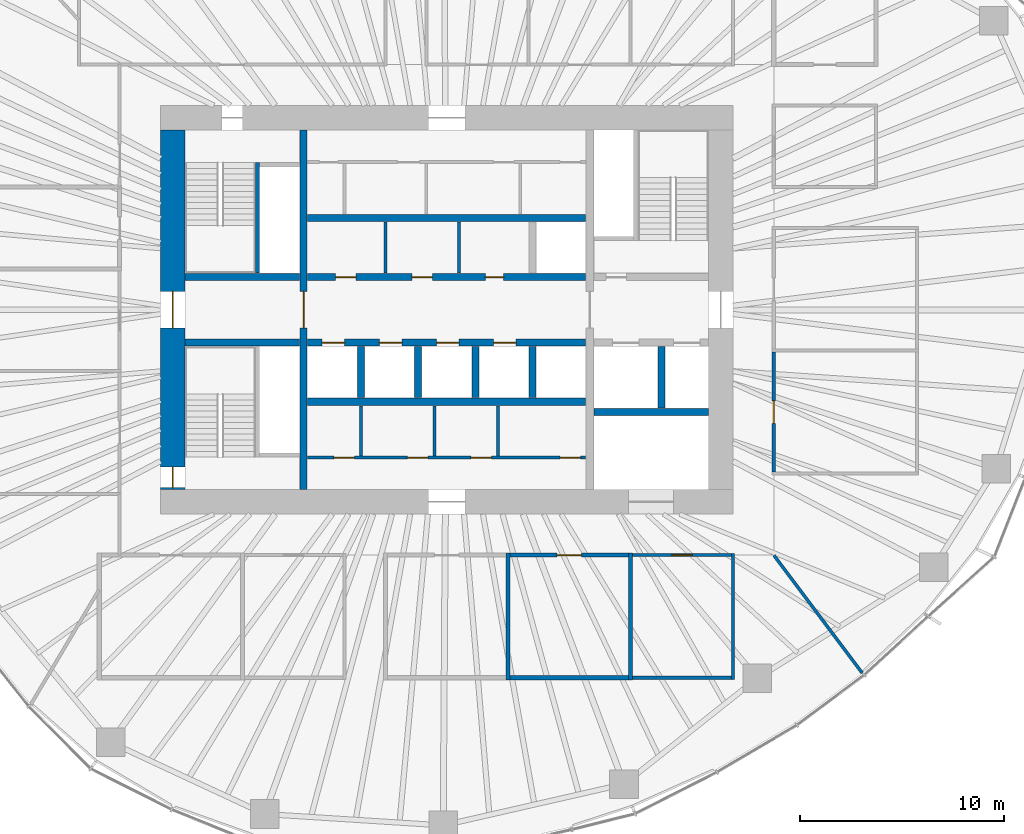
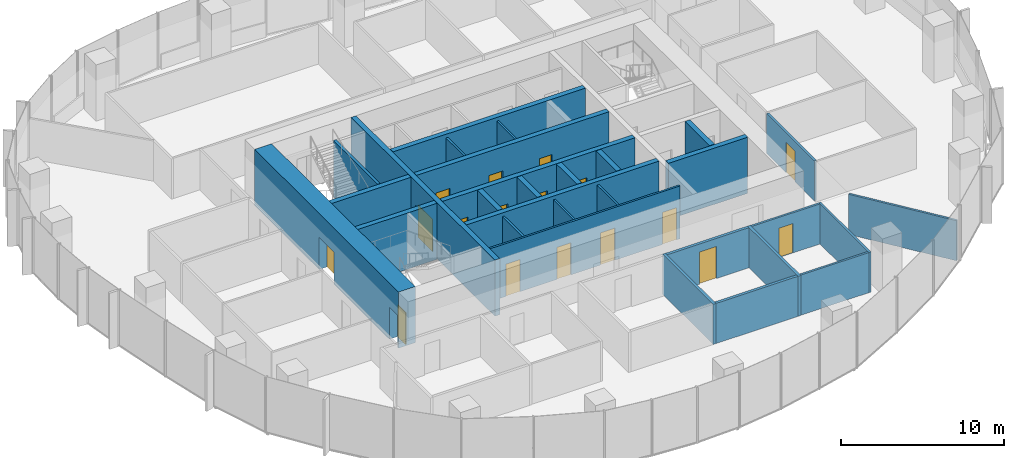
# One storey, part 9 of 18: 30 walls, 17 doors, 17 openings.
"""IFC4 building model written with IfcOpenShell, lengths in metres."""

from ifc_helpers import new_model, si_unit, direction, frame, frame_2d, origin, place, context, subcontext, project, spatial, rectangle, extrude, material, layer, layer_set, type_object, element, fill, save


model = new_model("IFC4")

# Units and contexts
model_context = context("Model", 3, precision=1e-05, world=origin(), true_north=direction((0.0, 1.0)))
body_context = subcontext(model_context, "Body", "Model", "MODEL_VIEW")
ifc_project = project(units=[si_unit("LENGTHUNIT", "METRE"), si_unit("AREAUNIT", "SQUARE_METRE"), si_unit("VOLUMEUNIT", "CUBIC_METRE"), si_unit("PLANEANGLEUNIT", "RADIAN"), si_unit("MASSUNIT", "GRAM", prefix="KILO")], contexts=[model_context])

# Site, building, storey
site_placement = place(None, origin())
site = spatial("IfcSite", under=ifc_project, at=site_placement, CompositionType="ELEMENT")
building_placement = place(site_placement, origin())
building = spatial("IfcBuilding", under=site, at=building_placement, Name="Ghaith Harvest Tower", CompositionType="ELEMENT")
storey_placement = place(building_placement, frame((0.0, 0.0, 147.0)))
storey = spatial("IfcBuildingStorey", under=building, at=storey_placement, Name="L31", CompositionType="ELEMENT", Elevation=147.0)

# Walls
ifc_material_1 = material(Name="Twin-stud gypsum board, acoustic", Category="gypsum")
ifc_layer_1 = layer(ifc_material_1, 0.199951171875)
ifc_layer_set_1 = layer_set([ifc_layer_1], Name="ACOUSTIC PARTITION 200")
wall_type_1 = type_object("IfcWallType", Name="ACOUSTIC PARTITION 200", PredefinedType="PARTITIONING", material=ifc_layer_set_1)
for number, where, z_axis, x_axis, name in (
    (1, (3.0, -11.89990234375, 0.0), (0.0, 0.0, 1.0), (0.0, -1.0, 0.0), "Partition L31 row S4 cross wall 2"),
    (2, (9.0, -11.89990234375, 0.0), (0.0, 0.0, 1.0), (0.0, -1.0, 0.0), "Partition L31 row S4 cross wall 3"),
):
    element("IfcWall", number, at=place(storey_placement, frame(where, z_axis=z_axis, x_axis=x_axis)), inside=storey, type_object=wall_type_1, Name=name, PredefinedType="PARTITIONING", context=body_context, shape_type="SweptSolid", body=[
        extrude(rectangle(XDim=6.2001953125, YDim=0.199951171875, at=frame_2d((3.10009765625, 0.0))), origin(), (0.0, 0.0, 1.0), 3.0),
    ])

# Wall, opening, door
wall_1_placement = place(storey_placement, frame((3.10009765625, -12.0, 0.0), z_axis=(0.0, 0.0, 1.0), x_axis=(1.0, 0.0, 0.0)))
wall_1 = element("IfcWall", 3, at=wall_1_placement, inside=storey, type_object=wall_type_1, Name="Partition L31-08", PredefinedType="PARTITIONING", context=body_context, shape_type="SweptSolid", body=[
    extrude(rectangle(XDim=5.7998046875, YDim=0.199951171875, at=frame_2d((2.89990234375, 0.0))), origin(), (0.0, 0.0, 1.0), 3.0),
])
opening_1_placement = place(wall_1_placement, frame((2.300048828125, 0.0, 0.0)))
opening_1 = element("IfcOpeningElement", 4, at=opening_1_placement, cuts=wall_1, Name="Opening 31-035", PredefinedType="OPENING", context=body_context, shape_type="SweptSolid", body=[
    extrude(rectangle(XDim=1.199951171875, YDim=2.39990234375, at=frame_2d((0.60009765625, 1.199951171875))), frame((0.0, 0.10986328125, 0.0), z_axis=(0.0, -1.0, 0.0), x_axis=(1.0, 0.0, 0.0)), (0.0, 0.0, 1.0), 0.219970703125),
])
ifc_material_2 = material(Name="Timber door", Category="wood")
door_type_1 = type_object("IfcDoorType", Name="D11 GLAZED 1200x2400", OperationType="SINGLE_SWING_LEFT", PredefinedType="DOOR", material=ifc_material_2)
door_1_placement = place(opening_1_placement, origin())
door_1 = element("IfcDoor", 5, at=door_1_placement, inside=storey, type_object=door_type_1, Name="Meeting room door", OperationType="SINGLE_SWING_LEFT", OverallHeight=2.39990234375, OverallWidth=1.199951171875, PredefinedType="DOOR", context=body_context, shape_type="SweptSolid", body=[
    extrude(rectangle(XDim=1.199951171875, YDim=2.39990234375, at=frame_2d((0.60009765625, 1.199951171875))), frame((0.0, 0.02490234375, 0.0), z_axis=(0.0, -1.0, 0.0), x_axis=(1.0, 0.0, 0.0)), (0.0, 0.0, 1.0), 0.050048828125),
])
fill(opening_1, door_1)

# Wall
wall_2_placement = place(storey_placement, frame((3.10009765625, -18.0, 0.0), z_axis=(0.0, 0.0, 1.0), x_axis=(1.0, 0.0, 0.0)))
element("IfcWall", 6, at=wall_2_placement, inside=storey, type_object=wall_type_1, Name="Partition L31-08", PredefinedType="PARTITIONING", context=body_context, shape_type="SweptSolid", body=[
    extrude(rectangle(XDim=5.7998046875, YDim=0.199951171875, at=frame_2d((2.89990234375, 0.0))), origin(), (0.0, 0.0, 1.0), 3.0),
])

# Wall, openings, doors
ifc_material_3 = material(Name="Concrete blockwork, fair-faced", Category="masonry")
ifc_layer_2 = layer(ifc_material_3, 0.139892578125)
ifc_layer_set_2 = layer_set([ifc_layer_2], Name="CORE PARTITION 140")
wall_type_2 = type_object("IfcWallType", Name="CORE PARTITION 140", PredefinedType="PARTITIONING", material=ifc_layer_set_2)
wall_3_placement = place(storey_placement, frame((-6.800048828125, -7.22998046875, 0.0), z_axis=(0.0, 0.0, 1.0), x_axis=(1.0, 0.0, 0.0)))
wall_3 = element("IfcWall", 7, at=wall_3_placement, inside=storey, type_object=wall_type_2, Name="Core partition L31", PredefinedType="PARTITIONING", context=body_context, shape_type="SweptSolid", body=[
    extrude(rectangle(XDim=13.60009765625, YDim=0.139892578125, at=frame_2d((6.800048828125, 0.0))), origin(), (0.0, 0.0, 1.0), 3.949951171875),
])
opening_2_placement = place(wall_3_placement, frame((1.280029296875, 0.0, 0.0)))
opening_2 = element("IfcOpeningElement", 8, at=opening_2_placement, cuts=wall_3, Name="Opening 31-012", PredefinedType="OPENING", context=body_context, shape_type="SweptSolid", body=[
    extrude(rectangle(XDim=1.0, YDim=2.39990234375, at=frame_2d((0.5, 1.199951171875))), frame((0.0, 0.080078125, 0.0), z_axis=(0.0, -1.0, 0.0), x_axis=(1.0, 0.0, 0.0)), (0.0, 0.0, 1.0), 0.159912109375),
])
opening_3_placement = place(wall_3_placement, frame((4.8798828125, 0.0, 0.0)))
opening_3 = element("IfcOpeningElement", 9, at=opening_3_placement, cuts=wall_3, Name="Opening 31-013", PredefinedType="OPENING", context=body_context, shape_type="SweptSolid", body=[
    extrude(rectangle(XDim=1.0, YDim=2.39990234375, at=frame_2d((0.5, 1.199951171875))), frame((0.0, 0.080078125, 0.0), z_axis=(0.0, -1.0, 0.0), x_axis=(1.0, 0.0, 0.0)), (0.0, 0.0, 1.0), 0.159912109375),
])
opening_4_placement = place(wall_3_placement, frame((7.97998046875, 0.0, 0.0)))
opening_4 = element("IfcOpeningElement", 10, at=opening_4_placement, cuts=wall_3, Name="Opening 31-014", PredefinedType="OPENING", context=body_context, shape_type="SweptSolid", body=[
    extrude(rectangle(XDim=1.0, YDim=2.39990234375, at=frame_2d((0.5, 1.199951171875))), frame((0.0, 0.080078125, 0.0), z_axis=(0.0, -1.0, 0.0), x_axis=(1.0, 0.0, 0.0)), (0.0, 0.0, 1.0), 0.159912109375),
])
opening_5_placement = place(wall_3_placement, frame((12.35009765625, 0.0, 0.0)))
opening_5 = element("IfcOpeningElement", 11, at=opening_5_placement, cuts=wall_3, Name="Opening 31-015", PredefinedType="OPENING", context=body_context, shape_type="SweptSolid", body=[
    extrude(rectangle(XDim=1.0, YDim=2.39990234375, at=frame_2d((0.5, 1.199951171875))), frame((0.0, 0.080078125, 0.0), z_axis=(0.0, -1.0, 0.0), x_axis=(1.0, 0.0, 0.0)), (0.0, 0.0, 1.0), 0.159912109375),
])
ifc_material_4 = material(Name="Steel fire door", Category="steel")
door_type_2 = type_object("IfcDoorType", Name="D3 FD90 1000x2400", OperationType="SINGLE_SWING_LEFT", PredefinedType="DOOR", material=ifc_material_4)
door_2_placement = place(opening_2_placement, origin())
door_2 = element("IfcDoor", 12, at=door_2_placement, inside=storey, type_object=door_type_2, Name="Security room door", OperationType="SINGLE_SWING_LEFT", OverallHeight=2.39990234375, OverallWidth=1.0, PredefinedType="DOOR", context=body_context, shape_type="SweptSolid", body=[
    extrude(rectangle(XDim=1.0, YDim=2.39990234375, at=frame_2d((0.5, 1.199951171875))), frame((0.0, 0.02490234375, 0.0), z_axis=(0.0, -1.0, 0.0), x_axis=(1.0, 0.0, 0.0)), (0.0, 0.0, 1.0), 0.050048828125),
])
fill(opening_2, door_2)
door_3_placement = place(opening_3_placement, origin())
door_3 = element("IfcDoor", 13, at=door_3_placement, inside=storey, type_object=door_type_2, Name="Electrical room door", OperationType="SINGLE_SWING_LEFT", OverallHeight=2.39990234375, OverallWidth=1.0, PredefinedType="DOOR", context=body_context, shape_type="SweptSolid", body=[
    extrude(rectangle(XDim=1.0, YDim=2.39990234375, at=frame_2d((0.5, 1.199951171875))), frame((0.0, 0.02490234375, 0.0), z_axis=(0.0, -1.0, 0.0), x_axis=(1.0, 0.0, 0.0)), (0.0, 0.0, 1.0), 0.050048828125),
])
fill(opening_3, door_3)
door_4_placement = place(opening_4_placement, origin())
door_4 = element("IfcDoor", 14, at=door_4_placement, inside=storey, type_object=door_type_2, Name="Communications equipment room door", OperationType="SINGLE_SWING_RIGHT", OverallHeight=2.39990234375, OverallWidth=1.0, PredefinedType="DOOR", context=body_context, shape_type="SweptSolid", body=[
    extrude(rectangle(XDim=1.0, YDim=2.39990234375, at=frame_2d((0.5, 1.199951171875))), frame((0.0, 0.02490234375, 0.0), z_axis=(0.0, -1.0, 0.0), x_axis=(1.0, 0.0, 0.0)), (0.0, 0.0, 1.0), 0.050048828125),
])
fill(opening_4, door_4)
door_5_placement = place(opening_5_placement, origin())
door_5 = element("IfcDoor", 15, at=door_5_placement, inside=storey, type_object=door_type_2, Name="Riser room door", OperationType="SINGLE_SWING_RIGHT", OverallHeight=2.39990234375, OverallWidth=1.0, PredefinedType="DOOR", context=body_context, shape_type="SweptSolid", body=[
    extrude(rectangle(XDim=1.0, YDim=2.39990234375, at=frame_2d((0.5, 1.199951171875))), frame((0.0, 0.02490234375, 0.0), z_axis=(0.0, -1.0, 0.0), x_axis=(1.0, 0.0, 0.0)), (0.0, 0.0, 1.0), 0.050048828125),
])
fill(opening_5, door_5)

# Walls
for number, where, z_axis, x_axis, name in (
    (16, (-4.199951171875, -4.699951171875, 0.0), (0.0, 0.0, 1.0), (0.0, -1.0, 0.0), "Core partition L31"),
    (17, (-0.60009765625, -4.699951171875, 0.0), (0.0, 0.0, 1.0), (0.0, -1.0, 0.0), "Core partition L31"),
    (18, (2.5, -4.699951171875, 0.0), (0.0, 0.0, 1.0), (0.0, -1.0, 0.0), "Core partition L31"),
):
    element("IfcWall", number, at=place(storey_placement, frame(where, z_axis=z_axis, x_axis=x_axis)), inside=storey, type_object=wall_type_2, Name=name, PredefinedType="PARTITIONING", context=body_context, shape_type="SweptSolid", body=[
        extrude(rectangle(XDim=2.4599609375, YDim=0.139892578125, at=frame_2d((1.22998046875, 0.0))), origin(), (0.0, 0.0, 1.0), 3.949951171875),
    ])
for number, where, z_axis, x_axis, name in (
    (19, (-3.0, 1.800048828125, 0.0), (0.0, 0.0, 1.0), (0.0, 1.0, 0.0), "Core partition L31"),
    (20, (0.60009765625, 1.800048828125, 0.0), (0.0, 0.0, 1.0), (0.0, 1.0, 0.0), "Core partition L31"),
):
    element("IfcWall", number, at=place(storey_placement, frame(where, z_axis=z_axis, x_axis=x_axis)), inside=storey, type_object=wall_type_2, Name=name, PredefinedType="PARTITIONING", context=body_context, shape_type="SweptSolid", body=[
        extrude(rectangle(XDim=2.5, YDim=0.139892578125, at=frame_2d((1.25, 0.0))), origin(), (0.0, 0.0, 1.0), 3.949951171875),
    ])

# Wall, openings, doors
ifc_material_5 = material(Name="Concrete C60/75", Category="concrete")
ifc_layer_3 = layer(ifc_material_5, 1.199951171875)
ifc_layer_set_3 = layer_set([ifc_layer_3], Name="CORE WALL CW1200 C60")
wall_type_3 = type_object("IfcWallType", Name="CORE WALL CW1200 C60", PredefinedType="SHEAR", material=ifc_layer_set_3)
wall_4_placement = place(storey_placement, frame((-13.39990234375, 8.800048828125, 0.0), z_axis=(0.0, 0.0, 1.0), x_axis=(0.0, -1.0, 0.0)))
wall_4 = element("IfcWall", 21, at=wall_4_placement, inside=storey, type_object=wall_type_3, Name="Core wall W L31", PredefinedType="SHEAR", context=body_context, shape_type="SweptSolid", body=[
    extrude(rectangle(XDim=17.60009765625, YDim=1.199951171875, at=frame_2d((8.800048828125, 0.0))), origin(), (0.0, 0.0, 1.0), 4.199951171875),
])
opening_6_placement = place(wall_4_placement, frame((7.89990234375, 0.0, 0.0)))
opening_6 = element("IfcOpeningElement", 22, at=opening_6_placement, cuts=wall_4, Name="Opening 31-001", PredefinedType="OPENING", context=body_context, shape_type="SweptSolid", body=[
    extrude(rectangle(XDim=1.800048828125, YDim=2.39990234375, at=frame_2d((0.89990234375, 1.199951171875))), frame((0.0, 0.60986328125, 0.0), z_axis=(0.0, -1.0, 0.0), x_axis=(1.0, 0.0, 0.0)), (0.0, 0.0, 1.0), 1.219970703125),
])
opening_7_placement = place(wall_4_placement, frame((16.5, 0.0, 0.0)))
opening_7 = element("IfcOpeningElement", 23, at=opening_7_placement, cuts=wall_4, Name="Opening 31-006", PredefinedType="OPENING", context=body_context, shape_type="SweptSolid", body=[
    extrude(rectangle(XDim=1.0, YDim=2.39990234375, at=frame_2d((0.5, 1.199951171875))), frame((0.0, 0.60986328125, 0.0), z_axis=(0.0, -1.0, 0.0), x_axis=(1.0, 0.0, 0.0)), (0.0, 0.0, 1.0), 1.219970703125),
])
door_6_placement = place(opening_7_placement, origin())
door_6 = element("IfcDoor", 24, at=door_6_placement, inside=storey, type_object=door_type_2, Name="Stair ST3 door", OperationType="SINGLE_SWING_RIGHT", OverallHeight=2.39990234375, OverallWidth=1.0, PredefinedType="DOOR", context=body_context, shape_type="SweptSolid", body=[
    extrude(rectangle(XDim=1.0, YDim=2.39990234375, at=frame_2d((0.5, 1.199951171875))), frame((0.0, 0.02490234375, 0.0), z_axis=(0.0, -1.0, 0.0), x_axis=(1.0, 0.0, 0.0)), (0.0, 0.0, 1.0), 0.050048828125),
])
fill(opening_7, door_6)
ifc_material_6 = material(Name="Steel fire door", Category="steel")
door_type_3 = type_object("IfcDoorType", Name="D4 FD90 PAIR 1800x2400", OperationType="DOUBLE_DOOR_SINGLE_SWING", PredefinedType="DOOR", material=ifc_material_6)
door_7_placement = place(opening_6_placement, origin())
door_7 = element("IfcDoor", 25, at=door_7_placement, inside=storey, type_object=door_type_3, Name="West lobby doors", OperationType="DOUBLE_DOOR_SINGLE_SWING", OverallHeight=2.39990234375, OverallWidth=1.800048828125, PredefinedType="DOOR", context=body_context, shape_type="SweptSolid", body=[
    extrude(rectangle(XDim=1.800048828125, YDim=2.39990234375, at=frame_2d((0.89990234375, 1.199951171875))), frame((0.0, 0.02490234375, 0.0), z_axis=(0.0, -1.0, 0.0), x_axis=(1.0, 0.0, 0.0)), (0.0, 0.0, 1.0), 0.050048828125),
])
fill(opening_6, door_7)

# Wall
ifc_material_7 = material(Name="Gypsum board on steel studs", Category="steel")
ifc_layer_4 = layer(ifc_material_7, 0.14990234375)
ifc_layer_set_4 = layer_set([ifc_layer_4], Name="PARTITION 150")
wall_type_4 = type_object("IfcWallType", Name="PARTITION 150", PredefinedType="PARTITIONING", material=ifc_layer_set_4)
wall_5_placement = place(storey_placement, frame((14.0, -11.925048828125, 0.0), z_axis=(0.0, 0.0, 1.0), x_axis=(0.0, -1.0, 0.0)))
element("IfcWall", 26, at=wall_5_placement, inside=storey, type_object=wall_type_4, Name="Partition L31 row S4 cross wall 4", PredefinedType="PARTITIONING", context=body_context, shape_type="SweptSolid", body=[
    extrude(rectangle(XDim=6.14990234375, YDim=0.14990234375, at=frame_2d((3.074951171875, 0.0))), origin(), (0.0, 0.0, 1.0), 3.0),
])

# Wall, opening, door
wall_6_placement = place(storey_placement, frame((9.10009765625, -12.0, 0.0), z_axis=(0.0, 0.0, 1.0), x_axis=(1.0, 0.0, 0.0)))
wall_6 = element("IfcWall", 27, at=wall_6_placement, inside=storey, type_object=wall_type_4, Name="Partition L31-09", PredefinedType="PARTITIONING", context=body_context, shape_type="SweptSolid", body=[
    extrude(rectangle(XDim=4.824951171875, YDim=0.14990234375, at=frame_2d((2.41259765625, 0.0))), origin(), (0.0, 0.0, 1.0), 3.0),
])
opening_8_placement = place(wall_6_placement, frame((1.91259765625, 0.0, 0.0)))
opening_8 = element("IfcOpeningElement", 28, at=opening_8_placement, cuts=wall_6, Name="Opening 31-036", PredefinedType="OPENING", context=body_context, shape_type="SweptSolid", body=[
    extrude(rectangle(XDim=1.0, YDim=2.199951171875, at=frame_2d((0.5, 1.10009765625))), frame((0.0, 0.0849609375, 0.0), z_axis=(0.0, -1.0, 0.0), x_axis=(1.0, 0.0, 0.0)), (0.0, 0.0, 1.0), 0.169921875),
])
ifc_material_8 = material(Name="Timber door", Category="wood")
door_type_4 = type_object("IfcDoorType", Name="D1 SINGLE 1000x2200", OperationType="SINGLE_SWING_LEFT", PredefinedType="DOOR", material=ifc_material_8)
door_8_placement = place(opening_8_placement, origin())
door_8 = element("IfcDoor", 29, at=door_8_placement, inside=storey, type_object=door_type_4, Name="Pantry door", OperationType="SINGLE_SWING_LEFT", OverallHeight=2.199951171875, OverallWidth=1.0, PredefinedType="DOOR", context=body_context, shape_type="SweptSolid", body=[
    extrude(rectangle(XDim=1.0, YDim=2.199951171875, at=frame_2d((0.5, 1.10009765625))), frame((0.0, 0.02490234375, 0.0), z_axis=(0.0, -1.0, 0.0), x_axis=(1.0, 0.0, 0.0)), (0.0, 0.0, 1.0), 0.050048828125),
])
fill(opening_8, door_8)

# Wall
wall_7_placement = place(storey_placement, frame((9.10009765625, -18.0, 0.0), z_axis=(0.0, 0.0, 1.0), x_axis=(1.0, 0.0, 0.0)))
element("IfcWall", 30, at=wall_7_placement, inside=storey, type_object=wall_type_4, Name="Partition L31-09", PredefinedType="PARTITIONING", context=body_context, shape_type="SweptSolid", body=[
    extrude(rectangle(XDim=4.824951171875, YDim=0.14990234375, at=frame_2d((2.41259765625, 0.0))), origin(), (0.0, 0.0, 1.0), 3.0),
])

# Wall, opening, door
wall_8_placement = place(storey_placement, frame((16.0, -7.925048828125, 0.0), z_axis=(0.0, 0.0, 1.0), x_axis=(0.0, 1.0, 0.0)))
wall_8 = element("IfcWall", 31, at=wall_8_placement, inside=storey, type_object=wall_type_4, Name="Partition L31-10", PredefinedType="PARTITIONING", context=body_context, shape_type="SweptSolid", body=[
    extrude(rectangle(XDim=5.85009765625, YDim=0.14990234375, at=frame_2d((2.925048828125, 0.0))), origin(), (0.0, 0.0, 1.0), 3.0),
])
opening_9_placement = place(wall_8_placement, frame((2.375, 0.0, 0.0)))
opening_9 = element("IfcOpeningElement", 32, at=opening_9_placement, cuts=wall_8, Name="Opening 31-037", PredefinedType="OPENING", context=body_context, shape_type="SweptSolid", body=[
    extrude(rectangle(XDim=1.10009765625, YDim=2.300048828125, at=frame_2d((0.550048828125, 1.14990234375))), frame((0.0, 0.0849609375, 0.0), z_axis=(0.0, -1.0, 0.0), x_axis=(1.0, 0.0, 0.0)), (0.0, 0.0, 1.0), 0.169921875),
])
ifc_material_9 = material(Name="Timber-framed glazed door", Category="wood")
door_type_5 = type_object("IfcDoorType", Name="D12 GLAZED OFFICE 1100x2300", OperationType="SINGLE_SWING_LEFT", PredefinedType="DOOR", material=ifc_material_9)
door_9_placement = place(opening_9_placement, origin())
door_9 = element("IfcDoor", 33, at=door_9_placement, inside=storey, type_object=door_type_5, Name="Office door", OperationType="SINGLE_SWING_LEFT", OverallHeight=2.300048828125, OverallWidth=1.10009765625, PredefinedType="DOOR", context=body_context, shape_type="SweptSolid", body=[
    extrude(rectangle(XDim=1.10009765625, YDim=2.300048828125, at=frame_2d((0.550048828125, 1.14990234375))), frame((0.0, 0.02490234375, 0.0), z_axis=(0.0, -1.0, 0.0), x_axis=(1.0, 0.0, 0.0)), (0.0, 0.0, 1.0), 0.050048828125),
])
fill(opening_9, door_9)

# Wall
wall_9_placement = place(storey_placement, frame((16.011962890625, -12.01611328125, 0.0), z_axis=(0.0, 0.0, 1.0), x_axis=(0.600059749679, -0.799955184254, 0.0)))
element("IfcWall", 34, at=wall_9_placement, inside=storey, type_object=wall_type_4, Name="Partition L31 zone division", PredefinedType="PARTITIONING", context=body_context, shape_type="SweptSolid", body=[
    extrude(rectangle(XDim=7.191162109375, YDim=0.14990234375, at=frame_2d((3.595703125, 0.0))), origin(), (0.0, 0.0, 1.0), 3.0),
])

# Wall, opening, door
ifc_material_10 = material(Name="Concrete C60/75", Category="concrete")
ifc_layer_5 = layer(ifc_material_10, 0.35009765625)
ifc_layer_set_5 = layer_set([ifc_layer_5], Name="SHAFT WALL 350")
wall_type_5 = type_object("IfcWallType", Name="SHAFT WALL 350", PredefinedType="SHEAR", material=ifc_layer_set_5)
wall_10_placement = place(storey_placement, frame((-7.0, -8.800048828125, 0.0), z_axis=(0.0, 0.0, 1.0), x_axis=(0.0, 1.0, 0.0)))
wall_10 = element("IfcWall", 35, at=wall_10_placement, inside=storey, type_object=wall_type_5, Name="Shaft wall W7W L31", PredefinedType="SHEAR", context=body_context, shape_type="SweptSolid", body=[
    extrude(rectangle(XDim=17.60009765625, YDim=0.35009765625, at=frame_2d((8.800048828125, 0.0))), origin(), (0.0, 0.0, 1.0), 4.199951171875),
])
opening_10_placement = place(wall_10_placement, frame((7.89990234375, 0.0, 0.0)))
opening_10 = element("IfcOpeningElement", 36, at=opening_10_placement, cuts=wall_10, Name="Opening 31-003", PredefinedType="OPENING", context=body_context, shape_type="SweptSolid", body=[
    extrude(rectangle(XDim=1.800048828125, YDim=2.39990234375, at=frame_2d((0.89990234375, 1.199951171875))), frame((0.0, 0.18505859375, 0.0), z_axis=(0.0, -1.0, 0.0), x_axis=(1.0, 0.0, 0.0)), (0.0, 0.0, 1.0), 0.3701171875),
])
door_10_placement = place(opening_10_placement, origin())
door_10 = element("IfcDoor", 37, at=door_10_placement, inside=storey, type_object=door_type_3, Name="Lift lobby doors, west", OperationType="DOUBLE_DOOR_SINGLE_SWING", OverallHeight=2.39990234375, OverallWidth=1.800048828125, PredefinedType="DOOR", context=body_context, shape_type="SweptSolid", body=[
    extrude(rectangle(XDim=1.800048828125, YDim=2.39990234375, at=frame_2d((0.89990234375, 1.199951171875))), frame((0.0, 0.02490234375, 0.0), z_axis=(0.0, -1.0, 0.0), x_axis=(1.0, 0.0, 0.0)), (0.0, 0.0, 1.0), 0.050048828125),
])
fill(opening_10, door_10)

# Wall, openings, doors
wall_11_placement = place(storey_placement, frame((-6.800048828125, 1.60009765625, 0.0), z_axis=(0.0, 0.0, 1.0), x_axis=(1.0, 0.0, 0.0)))
wall_11 = element("IfcWall", 38, at=wall_11_placement, inside=storey, type_object=wall_type_5, Name="Shaft wall LN L31", PredefinedType="SHEAR", context=body_context, shape_type="SweptSolid", body=[
    extrude(rectangle(XDim=13.60009765625, YDim=0.35009765625, at=frame_2d((6.800048828125, 0.0))), origin(), (0.0, 0.0, 1.0), 4.199951171875),
])
opening_11_placement = place(wall_11_placement, frame((1.364990234375, 0.0, 0.0)))
opening_11 = element("IfcOpeningElement", 39, at=opening_11_placement, cuts=wall_11, Name="Opening 31-016", PredefinedType="OPENING", context=body_context, shape_type="SweptSolid", body=[
    extrude(rectangle(XDim=1.0, YDim=2.39990234375, at=frame_2d((0.5, 1.199951171875))), frame((0.0, 0.18505859375, 0.0), z_axis=(0.0, -1.0, 0.0), x_axis=(1.0, 0.0, 0.0)), (0.0, 0.0, 1.0), 0.3701171875),
])
opening_12_placement = place(wall_11_placement, frame((5.10009765625, 0.0, 0.0)))
opening_12 = element("IfcOpeningElement", 40, at=opening_12_placement, cuts=wall_11, Name="Opening 31-017", PredefinedType="OPENING", context=body_context, shape_type="SweptSolid", body=[
    extrude(rectangle(XDim=1.0, YDim=2.39990234375, at=frame_2d((0.5, 1.199951171875))), frame((0.0, 0.18505859375, 0.0), z_axis=(0.0, -1.0, 0.0), x_axis=(1.0, 0.0, 0.0)), (0.0, 0.0, 1.0), 0.3701171875),
])
opening_13_placement = place(wall_11_placement, frame((8.68505859375, 0.0, 0.0)))
opening_13 = element("IfcOpeningElement", 41, at=opening_13_placement, cuts=wall_11, Name="Opening 31-018", PredefinedType="OPENING", context=body_context, shape_type="SweptSolid", body=[
    extrude(rectangle(XDim=0.89990234375, YDim=2.39990234375, at=frame_2d((0.449951171875, 1.199951171875))), frame((0.0, 0.18505859375, 0.0), z_axis=(0.0, -1.0, 0.0), x_axis=(1.0, 0.0, 0.0)), (0.0, 0.0, 1.0), 0.3701171875),
])
door_11_placement = place(opening_11_placement, origin())
door_11 = element("IfcDoor", 42, at=door_11_placement, inside=storey, type_object=door_type_2, Name="Staff WC door", OperationType="SINGLE_SWING_LEFT", OverallHeight=2.39990234375, OverallWidth=1.0, PredefinedType="DOOR", context=body_context, shape_type="SweptSolid", body=[
    extrude(rectangle(XDim=1.0, YDim=2.39990234375, at=frame_2d((0.5, 1.199951171875))), frame((0.0, 0.02490234375, 0.0), z_axis=(0.0, -1.0, 0.0), x_axis=(1.0, 0.0, 0.0)), (0.0, 0.0, 1.0), 0.050048828125),
])
fill(opening_11, door_11)
door_12_placement = place(opening_12_placement, origin())
door_12 = element("IfcDoor", 43, at=door_12_placement, inside=storey, type_object=door_type_2, Name="Staff WC door", OperationType="SINGLE_SWING_LEFT", OverallHeight=2.39990234375, OverallWidth=1.0, PredefinedType="DOOR", context=body_context, shape_type="SweptSolid", body=[
    extrude(rectangle(XDim=1.0, YDim=2.39990234375, at=frame_2d((0.5, 1.199951171875))), frame((0.0, 0.02490234375, 0.0), z_axis=(0.0, -1.0, 0.0), x_axis=(1.0, 0.0, 0.0)), (0.0, 0.0, 1.0), 0.050048828125),
])
fill(opening_12, door_12)
ifc_material_11 = material(Name="Steel fire door", Category="steel")
door_type_6 = type_object("IfcDoorType", Name="D5 FD90 900x2400", OperationType="SINGLE_SWING_LEFT", PredefinedType="DOOR", material=ifc_material_11)
door_13_placement = place(opening_13_placement, origin())
door_13 = element("IfcDoor", 44, at=door_13_placement, inside=storey, type_object=door_type_6, Name="Lobby store door", OperationType="SINGLE_SWING_RIGHT", OverallHeight=2.39990234375, OverallWidth=0.89990234375, PredefinedType="DOOR", context=body_context, shape_type="SweptSolid", body=[
    extrude(rectangle(XDim=0.89990234375, YDim=2.39990234375, at=frame_2d((0.449951171875, 1.199951171875))), frame((0.0, 0.02490234375, 0.0), z_axis=(0.0, -1.0, 0.0), x_axis=(1.0, 0.0, 0.0)), (0.0, 0.0, 1.0), 0.050048828125),
])
fill(opening_13, door_13)

wall_12_placement = place(storey_placement, frame((-6.800048828125, -1.60009765625, 0.0), z_axis=(0.0, 0.0, 1.0), x_axis=(1.0, 0.0, 0.0)))
wall_12 = element("IfcWall", 45, at=wall_12_placement, inside=storey, type_object=wall_type_5, Name="Shaft wall LS L31", PredefinedType="SHEAR", context=body_context, shape_type="SweptSolid", body=[
    extrude(rectangle(XDim=13.60009765625, YDim=0.35009765625, at=frame_2d((6.800048828125, 0.0))), origin(), (0.0, 0.0, 1.0), 4.199951171875),
])
opening_14_placement = place(wall_12_placement, frame((0.699951171875, 0.0, 0.0)))
opening_14 = element("IfcOpeningElement", 46, at=opening_14_placement, cuts=wall_12, Name="Opening 31-021", PredefinedType="OPENING", context=body_context, shape_type="SweptSolid", body=[
    extrude(rectangle(XDim=1.10009765625, YDim=2.39990234375, at=frame_2d((0.550048828125, 1.199951171875))), frame((0.0, 0.18505859375, 0.0), z_axis=(0.0, -1.0, 0.0), x_axis=(1.0, 0.0, 0.0)), (0.0, 0.0, 1.0), 0.3701171875),
])
opening_15_placement = place(wall_12_placement, frame((3.5, 0.0, 0.0)))
opening_15 = element("IfcOpeningElement", 47, at=opening_15_placement, cuts=wall_12, Name="Opening 31-022", PredefinedType="OPENING", context=body_context, shape_type="SweptSolid", body=[
    extrude(rectangle(XDim=1.10009765625, YDim=2.39990234375, at=frame_2d((0.550048828125, 1.199951171875))), frame((0.0, 0.18505859375, 0.0), z_axis=(0.0, -1.0, 0.0), x_axis=(1.0, 0.0, 0.0)), (0.0, 0.0, 1.0), 0.3701171875),
])
opening_16_placement = place(wall_12_placement, frame((6.300048828125, 0.0, 0.0)))
opening_16 = element("IfcOpeningElement", 48, at=opening_16_placement, cuts=wall_12, Name="Opening 31-023", PredefinedType="OPENING", context=body_context, shape_type="SweptSolid", body=[
    extrude(rectangle(XDim=1.10009765625, YDim=2.39990234375, at=frame_2d((0.550048828125, 1.199951171875))), frame((0.0, 0.18505859375, 0.0), z_axis=(0.0, -1.0, 0.0), x_axis=(1.0, 0.0, 0.0)), (0.0, 0.0, 1.0), 0.3701171875),
])
opening_17_placement = place(wall_12_placement, frame((9.10009765625, 0.0, 0.0)))
opening_17 = element("IfcOpeningElement", 49, at=opening_17_placement, cuts=wall_12, Name="Opening 31-024", PredefinedType="OPENING", context=body_context, shape_type="SweptSolid", body=[
    extrude(rectangle(XDim=1.10009765625, YDim=2.39990234375, at=frame_2d((0.550048828125, 1.199951171875))), frame((0.0, 0.18505859375, 0.0), z_axis=(0.0, -1.0, 0.0), x_axis=(1.0, 0.0, 0.0)), (0.0, 0.0, 1.0), 0.3701171875),
])
ifc_material_12 = material(Name="Steel fire door", Category="steel")
door_type_7 = type_object("IfcDoorType", Name="LD1 LANDING 1100x2400", OperationType="DOUBLE_DOOR_SLIDING", PredefinedType="DOOR", material=ifc_material_12)
door_14_placement = place(opening_14_placement, origin())
door_14 = element("IfcDoor", 50, at=door_14_placement, inside=storey, type_object=door_type_7, Name="Landing door, lift LR1", OperationType="DOUBLE_DOOR_SLIDING", OverallHeight=2.39990234375, OverallWidth=1.10009765625, PredefinedType="DOOR", context=body_context, shape_type="SweptSolid", body=[
    extrude(rectangle(XDim=1.10009765625, YDim=2.39990234375, at=frame_2d((0.550048828125, 1.199951171875))), frame((0.0, 0.02490234375, 0.0), z_axis=(0.0, -1.0, 0.0), x_axis=(1.0, 0.0, 0.0)), (0.0, 0.0, 1.0), 0.050048828125),
])
fill(opening_14, door_14)
door_15_placement = place(opening_15_placement, origin())
door_15 = element("IfcDoor", 51, at=door_15_placement, inside=storey, type_object=door_type_7, Name="Landing door, lift LR2", OperationType="DOUBLE_DOOR_SLIDING", OverallHeight=2.39990234375, OverallWidth=1.10009765625, PredefinedType="DOOR", context=body_context, shape_type="SweptSolid", body=[
    extrude(rectangle(XDim=1.10009765625, YDim=2.39990234375, at=frame_2d((0.550048828125, 1.199951171875))), frame((0.0, 0.02490234375, 0.0), z_axis=(0.0, -1.0, 0.0), x_axis=(1.0, 0.0, 0.0)), (0.0, 0.0, 1.0), 0.050048828125),
])
fill(opening_15, door_15)
door_16_placement = place(opening_16_placement, origin())
door_16 = element("IfcDoor", 52, at=door_16_placement, inside=storey, type_object=door_type_7, Name="Landing door, lift LR3", OperationType="DOUBLE_DOOR_SLIDING", OverallHeight=2.39990234375, OverallWidth=1.10009765625, PredefinedType="DOOR", context=body_context, shape_type="SweptSolid", body=[
    extrude(rectangle(XDim=1.10009765625, YDim=2.39990234375, at=frame_2d((0.550048828125, 1.199951171875))), frame((0.0, 0.02490234375, 0.0), z_axis=(0.0, -1.0, 0.0), x_axis=(1.0, 0.0, 0.0)), (0.0, 0.0, 1.0), 0.050048828125),
])
fill(opening_16, door_16)
door_17_placement = place(opening_17_placement, origin())
door_17 = element("IfcDoor", 53, at=door_17_placement, inside=storey, type_object=door_type_7, Name="Landing door, lift LR4", OperationType="DOUBLE_DOOR_SLIDING", OverallHeight=2.39990234375, OverallWidth=1.10009765625, PredefinedType="DOOR", context=body_context, shape_type="SweptSolid", body=[
    extrude(rectangle(XDim=1.10009765625, YDim=2.39990234375, at=frame_2d((0.550048828125, 1.199951171875))), frame((0.0, 0.02490234375, 0.0), z_axis=(0.0, -1.0, 0.0), x_axis=(1.0, 0.0, 0.0)), (0.0, 0.0, 1.0), 0.050048828125),
])
fill(opening_17, door_17)

# Walls
for number, where, z_axis, x_axis, name in (
    (54, (-6.800048828125, 4.5, 0.0), (0.0, 0.0, 1.0), (1.0, 0.0, 0.0), "Shaft wall BN L31"),
    (55, (-6.800048828125, -4.5, 0.0), (0.0, 0.0, 1.0), (1.0, 0.0, 0.0), "Shaft wall BS L31"),
):
    element("IfcWall", number, at=place(storey_placement, frame(where, z_axis=z_axis, x_axis=x_axis)), inside=storey, type_object=wall_type_5, Name=name, PredefinedType="SHEAR", context=body_context, shape_type="SweptSolid", body=[
        extrude(rectangle(XDim=13.60009765625, YDim=0.35009765625, at=frame_2d((6.800048828125, 0.0))), origin(), (0.0, 0.0, 1.0), 4.199951171875),
    ])
for number, where, z_axis, x_axis, name in (
    (56, (-12.800048828125, 1.60009765625, 0.0), (0.0, 0.0, 1.0), (1.0, 0.0, 0.0), "Shaft wall WN L31"),
    (57, (-12.800048828125, -1.60009765625, 0.0), (0.0, 0.0, 1.0), (1.0, 0.0, 0.0), "Shaft wall WS L31"),
):
    element("IfcWall", number, at=place(storey_placement, frame(where, z_axis=z_axis, x_axis=x_axis)), inside=storey, type_object=wall_type_5, Name=name, PredefinedType="SHEAR", context=body_context, shape_type="SweptSolid", body=[
        extrude(rectangle(XDim=5.60009765625, YDim=0.35009765625, at=frame_2d((2.800048828125, 0.0))), origin(), (0.0, 0.0, 1.0), 4.199951171875),
    ])
wall_13_placement = place(storey_placement, frame((10.5, -4.800048828125, 0.0), z_axis=(0.0, 0.0, 1.0), x_axis=(0.0, 1.0, 0.0)))
element("IfcWall", 58, at=wall_13_placement, inside=storey, type_object=wall_type_5, Name="Shaft wall FLD L31", PredefinedType="SHEAR", context=body_context, shape_type="SweptSolid", body=[
    extrude(rectangle(XDim=3.0, YDim=0.35009765625, at=frame_2d((1.5, 0.0))), origin(), (0.0, 0.0, 1.0), 4.199951171875),
])
wall_14_placement = place(storey_placement, frame((7.199951171875, -5.0, 0.0), z_axis=(0.0, 0.0, 1.0), x_axis=(1.0, 0.0, 0.0)))
element("IfcWall", 59, at=wall_14_placement, inside=storey, type_object=wall_type_5, Name="Shaft wall FLB L31", PredefinedType="SHEAR", context=body_context, shape_type="SweptSolid", body=[
    extrude(rectangle(XDim=5.60009765625, YDim=0.35009765625, at=frame_2d((2.800048828125, 0.0))), origin(), (0.0, 0.0, 1.0), 4.199951171875),
])
for number, where, z_axis, x_axis, name in (
    (60, (-4.199951171875, -4.300048828125, 0.0), (0.0, 0.0, 1.0), (0.0, 1.0, 0.0), "Shaft wall DS1 L31"),
    (61, (-1.39990234375, -4.300048828125, 0.0), (0.0, 0.0, 1.0), (0.0, 1.0, 0.0), "Shaft wall DS2 L31"),
    (62, (1.39990234375, -4.300048828125, 0.0), (0.0, 0.0, 1.0), (0.0, 1.0, 0.0), "Shaft wall DS3 L31"),
    (63, (4.199951171875, -4.300048828125, 0.0), (0.0, 0.0, 1.0), (0.0, 1.0, 0.0), "Shaft wall DS4 L31"),
):
    element("IfcWall", number, at=place(storey_placement, frame(where, z_axis=z_axis, x_axis=x_axis)), inside=storey, type_object=wall_type_5, Name=name, PredefinedType="SHEAR", context=body_context, shape_type="SweptSolid", body=[
        extrude(rectangle(XDim=2.5, YDim=0.35009765625, at=frame_2d((1.25, 0.0))), origin(), (0.0, 0.0, 1.0), 4.199951171875),
    ])
ifc_material_13 = material(Name="Concrete C40/50", Category="concrete")
ifc_layer_6 = layer(ifc_material_13, 0.199951171875)
ifc_layer_set_6 = layer_set([ifc_layer_6], Name="STAIR SPINE WALL RC200")
wall_type_6 = type_object("IfcWallType", Name="STAIR SPINE WALL RC200", PredefinedType="SOLIDWALL", material=ifc_layer_set_6)
wall_15_placement = place(storey_placement, frame((-9.25, 7.199951171875, 0.0), z_axis=(0.0, 0.0, 1.0), x_axis=(0.0, -1.0, 0.0)))
element("IfcWall", 64, at=wall_15_placement, inside=storey, type_object=wall_type_6, Name="Stair ST1 spine wall L31", PredefinedType="SOLIDWALL", context=body_context, shape_type="SweptSolid", body=[
    extrude(rectangle(XDim=5.39990234375, YDim=0.199951171875, at=frame_2d((2.699951171875, 0.0))), origin(), (0.0, 0.0, 1.0), 4.199951171875),
])

save(model, "model.ifc")
